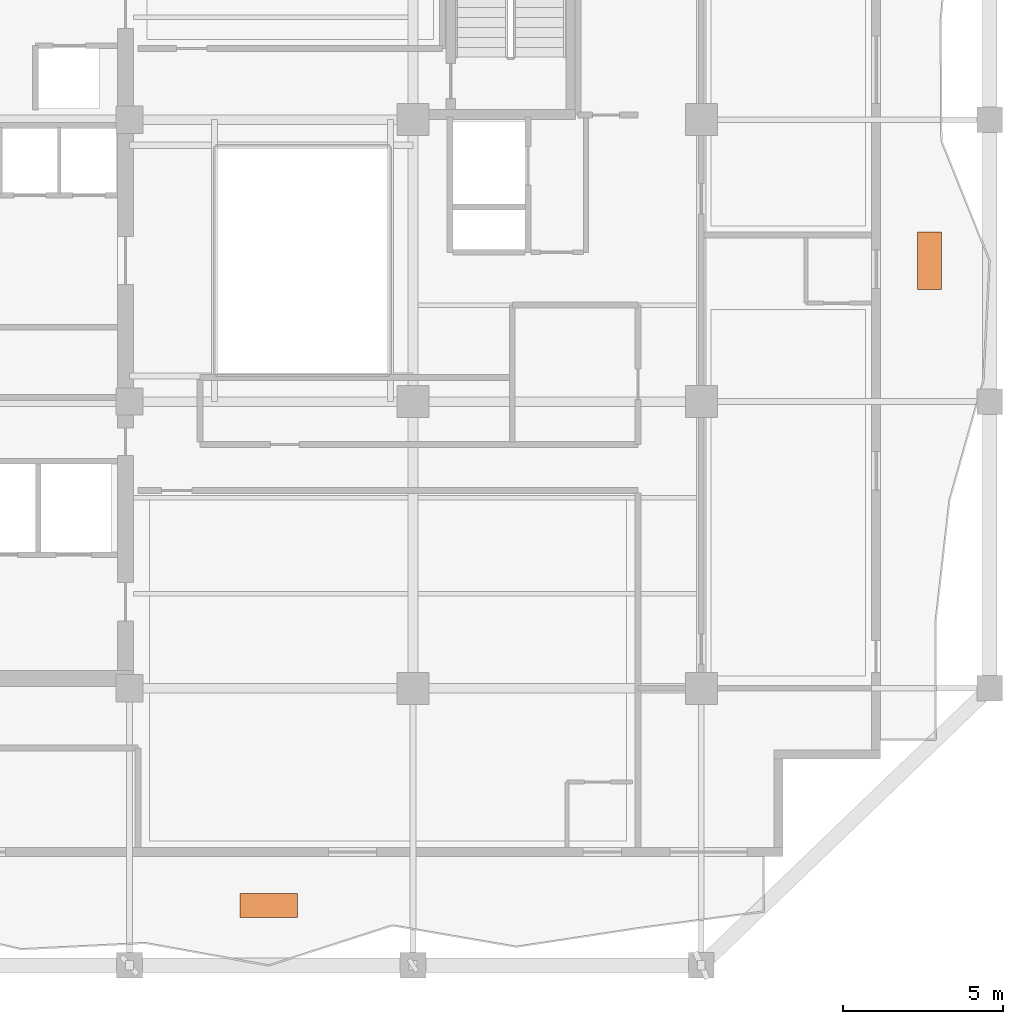
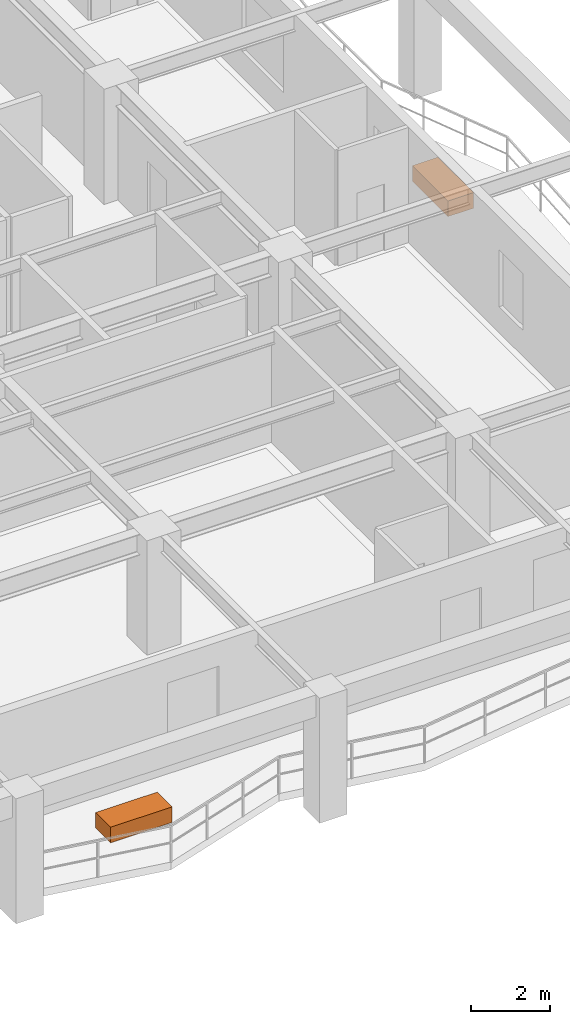
# One storey, part 10 of 10: 2 proxies.
"""IFC4 building model written with IfcOpenShell, lengths in metres."""

from ifc_helpers import new_model, si_unit, direction, frame, origin, origin_2d, place, context, subcontext, project, spatial, rectangle, extrude, material, type_object, element, save


model = new_model("IFC4")

# Units and contexts
model_context = context("Model", 3, precision=1e-05, world=origin(), true_north=direction((0.0, 1.0)))
body_context = subcontext(model_context, "Body", "Model", "MODEL_VIEW")
ifc_project = project(units=[si_unit("LENGTHUNIT", "METRE"), si_unit("AREAUNIT", "SQUARE_METRE"), si_unit("VOLUMEUNIT", "CUBIC_METRE"), si_unit("PLANEANGLEUNIT", "RADIAN"), si_unit("MASSUNIT", "GRAM", prefix="KILO")], contexts=[model_context])

# Site, building, storey
site_placement = place(None, origin())
site = spatial("IfcSite", under=ifc_project, at=site_placement, CompositionType="ELEMENT")
building_placement = place(site_placement, origin())
building = spatial("IfcBuilding", under=site, at=building_placement, Name="Kundavana Baori Tower", CompositionType="ELEMENT")
storey_placement = place(building_placement, frame((0.0, 0.0, 150.199951171875)))
storey = spatial("IfcBuildingStorey", under=building, at=storey_placement, Name="L36", CompositionType="ELEMENT", Elevation=150.199951171875)

# Proxies
ifc_material = material(Name="Red-Buff Dholpur Sandstone Cladding on Concrete C40/50", Category="masonry")
building_element_proxy_type = type_object("IfcBuildingElementProxyType", Name="PRX-PLANTER-1800", PredefinedType="USERDEFINED", material=ifc_material)
for number, where, z_axis, x_axis, name in (
    (1, (29.300048828125, 8.469970703125, 0.0), (0.0, 0.0, 1.0), (1.0, 0.0, 0.0), "L36 Dholpur Stone Structural Tree Planter S"),
    (2, (49.929931640625, 28.60009765625, 0.0), (0.0, 0.0, 1.0), (0.0, 1.0, 0.0), "L36 Dholpur Stone Structural Tree Planter E"),
):
    element("IfcBuildingElementProxy", number, at=place(storey_placement, frame(where, z_axis=z_axis, x_axis=x_axis)), inside=storey, type_object=building_element_proxy_type, Name=name, ObjectType="PLANTER", PredefinedType="USERDEFINED", context=body_context, shape_type="SweptSolid", body=[
        extrude(rectangle(XDim=1.800048828125, YDim=0.75, at=origin_2d()), origin(), (0.0, 0.0, 1.0), 0.47998046875),
    ])

save(model, "model.ifc")
